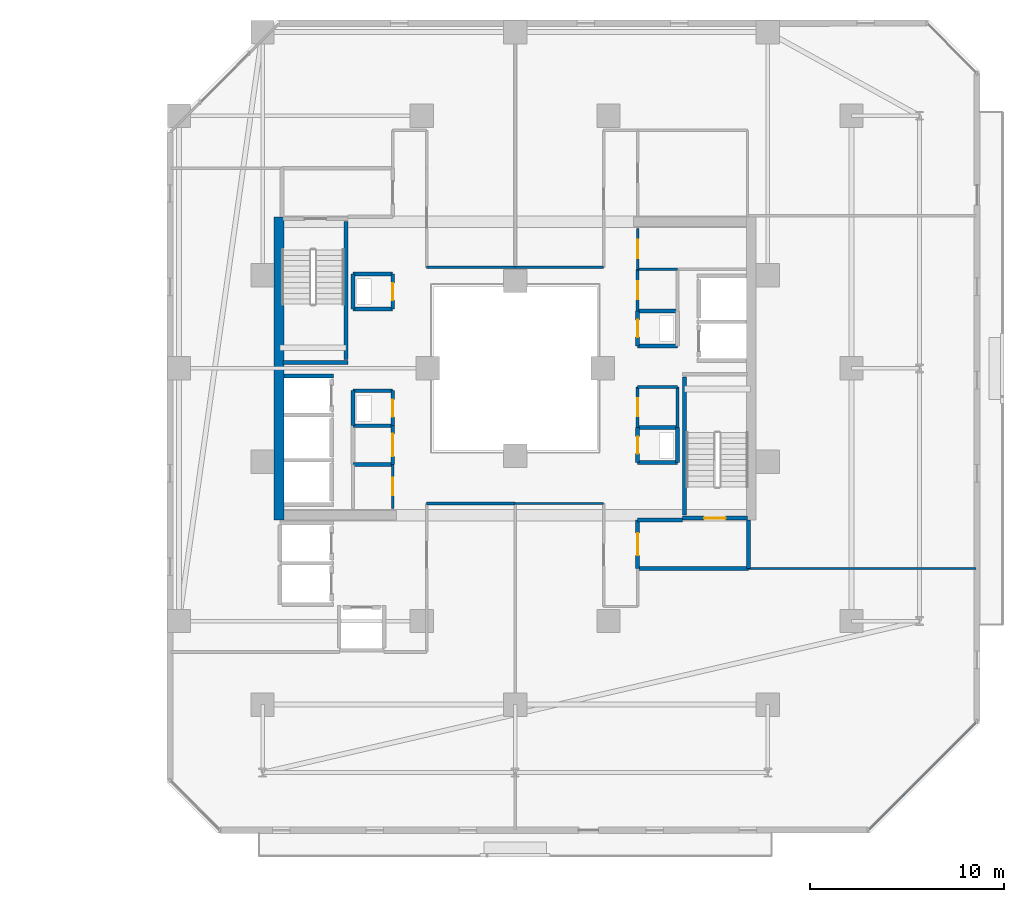
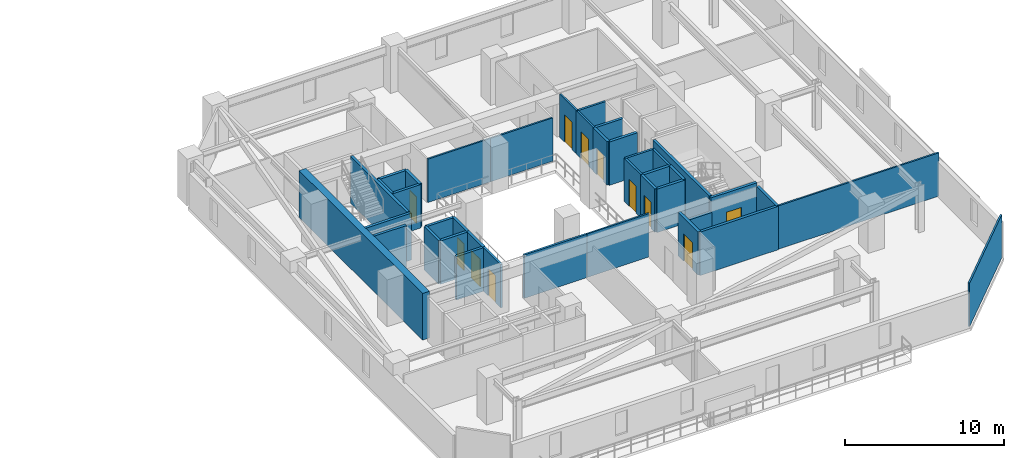
# One storey, part 22 of 31: 40 walls, 11 doors, 11 openings.
"""IFC4 building model written with IfcOpenShell, lengths in metres."""

from ifc_helpers import new_model, si_unit, direction, frame, frame_2d, origin, place, context, subcontext, project, spatial, rectangle, extrude, material, layer, layer_set, type_object, element, fill, save


model = new_model("IFC4")

# Units and contexts
model_context = context("Model", 3, precision=1e-05, world=origin(), true_north=direction((0.0, 1.0)))
body_context = subcontext(model_context, "Body", "Model", "MODEL_VIEW")
ifc_project = project(units=[si_unit("LENGTHUNIT", "METRE"), si_unit("AREAUNIT", "SQUARE_METRE"), si_unit("VOLUMEUNIT", "CUBIC_METRE"), si_unit("PLANEANGLEUNIT", "RADIAN"), si_unit("MASSUNIT", "GRAM", prefix="KILO")], contexts=[model_context])

# Site, building, storey
site_placement = place(None, origin())
site = spatial("IfcSite", under=ifc_project, at=site_placement, CompositionType="ELEMENT")
building_placement = place(site_placement, origin())
building = spatial("IfcBuilding", under=site, at=building_placement, Name="Thornwick Lancets Civic Towers", CompositionType="ELEMENT")
storey_placement = place(building_placement, frame((0.0, 0.0, 126.89990234375)))
storey = spatial("IfcBuildingStorey", under=building, at=storey_placement, Name="L33", CompositionType="ELEMENT", Elevation=126.89990234375)

# Walls
ifc_material_1 = material(Name="Concrete blockwork C40/50", Category="masonry")
ifc_layer_1 = layer(ifc_material_1, 0.199951171875, Name="Concrete blockwork C40/50")
ifc_layer_set_1 = layer_set([ifc_layer_1], Name="Concrete blockwork C40/50")
wall_type_1 = type_object("IfcWallType", Name="WALL_COMP_200", PredefinedType="STANDARD", material=ifc_layer_set_1)
wall_1_placement = place(storey_placement, frame((76.612060546875, 26.60009765625, 0.0), z_axis=(0.0, 0.0, 1.0), x_axis=(1.0, 0.0, 0.0)))
element("IfcWall", 1, at=wall_1_placement, inside=storey, type_object=wall_type_1, Name="L33 Hoistway Shaft Wall FL-B2 N", PredefinedType="STANDARD", context=body_context, shape_type="SweptSolid", body=[
    extrude(rectangle(XDim=2.535888671875, YDim=0.199951171875, at=frame_2d((1.26806640625, 0.0))), origin(), (0.0, 0.0, 1.0), 3.340087890625),
])
wall_2_placement = place(storey_placement, frame((94.800048828125, 16.699951171875, 0.0), z_axis=(0.0, 0.0, 1.0), x_axis=(1.0, 0.0, 0.0)))
element("IfcWall", 2, at=wall_2_placement, inside=storey, type_object=wall_type_1, Name="L33 Partition L33-B-FFLOB1 E1", PredefinedType="STANDARD", context=body_context, shape_type="SweptSolid", body=[
    extrude(rectangle(XDim=5.699951171875, YDim=0.199951171875, at=frame_2d((2.85009765625, 0.0))), origin(), (0.0, 0.0, 1.0), 3.340087890625),
])
wall_3_placement = place(storey_placement, frame((100.5, 16.699951171875, 0.0), z_axis=(0.0, 0.0, 1.0), x_axis=(0.0, 1.0, 0.0)))
element("IfcWall", 3, at=wall_3_placement, inside=storey, type_object=wall_type_1, Name="L33 Partition L33-B-FFLOB1 E2", PredefinedType="STANDARD", context=body_context, shape_type="SweptSolid", body=[
    extrude(rectangle(XDim=2.5, YDim=0.199951171875, at=frame_2d((1.25, 0.0))), origin(), (0.0, 0.0, 1.0), 3.340087890625),
])
wall_4_placement = place(storey_placement, frame((97.10009765625, 19.199951171875, 0.0), z_axis=(0.0, 0.0, 1.0), x_axis=(-1.0, 0.0, 0.0)))
element("IfcWall", 4, at=wall_4_placement, inside=storey, type_object=wall_type_1, Name="L33 Partition L33-B-FFLOB1 E3", PredefinedType="STANDARD", context=body_context, shape_type="SweptSolid", body=[
    extrude(rectangle(XDim=2.300048828125, YDim=0.199951171875, at=frame_2d((1.14990234375, 0.0))), origin(), (0.0, 0.0, 1.0), 2.545166015625),
])

# Wall, opening, door
wall_5_placement = place(storey_placement, frame((94.800048828125, 19.199951171875, 0.0), z_axis=(0.0, 0.0, 1.0), x_axis=(0.0, -1.0, 0.0)))
wall_5 = element("IfcWall", 5, at=wall_5_placement, inside=storey, type_object=wall_type_1, Name="L33 Partition L33-B-FFLOB1 E4", PredefinedType="STANDARD", context=body_context, shape_type="SweptSolid", body=[
    extrude(rectangle(XDim=2.5, YDim=0.199951171875, at=frame_2d((1.25, 0.0))), origin(), (0.0, 0.0, 1.0), 3.340087890625),
])
opening_1_placement = place(wall_5_placement, frame((0.675048828125, 0.0, 0.0)))
opening_1 = element("IfcOpeningElement", 6, at=opening_1_placement, cuts=wall_5, Name="Opening D-L33-1504", PredefinedType="OPENING", context=body_context, shape_type="SweptSolid", body=[
    extrude(rectangle(XDim=1.14990234375, YDim=2.10009765625, at=frame_2d((0.574951171875, 1.050048828125))), frame((0.0, 0.10986328125, 0.0), z_axis=(0.0, -1.0, 0.0), x_axis=(1.0, 0.0, 0.0)), (0.0, 0.0, 1.0), 0.219970703125),
])
ifc_material_2 = material(Name="Glazed fire-resisting steel", Category="steel")
door_type_1 = type_object("IfcDoorType", Name="DOOR_LOBBY_FD60", OperationType="NOTDEFINED", PredefinedType="DOOR", material=ifc_material_2)
door_1_placement = place(opening_1_placement, origin())
door_1 = element("IfcDoor", 7, at=door_1_placement, inside=storey, type_object=door_type_1, Name="L33 East Firefighting Lobby 1 Door", OperationType="SINGLE_SWING_LEFT", OverallHeight=2.10009765625, OverallWidth=1.14990234375, PredefinedType="DOOR", context=body_context, shape_type="SweptSolid", body=[
    extrude(rectangle(XDim=1.14990234375, YDim=2.10009765625, at=frame_2d((0.574951171875, 1.050048828125))), frame((0.0, 0.02490234375, 0.0), z_axis=(0.0, -1.0, 0.0), x_axis=(1.0, 0.0, 0.0)), (0.0, 0.0, 1.0), 0.050048828125),
])
fill(opening_1, door_1)

# Walls
for number, where, z_axis, x_axis, name in (
    (8, (94.800048828125, 28.14990234375, 0.0), (0.0, 0.0, 1.0), (1.0, 0.0, 0.0), "L33 Partition L33-B-DUCT1 E1"),
    (9, (96.85009765625, 29.949951171875, 0.0), (0.0, 0.0, 1.0), (-1.0, 0.0, 0.0), "L33 Partition L33-B-DUCT1 E3"),
):
    element("IfcWall", number, at=place(storey_placement, frame(where, z_axis=z_axis, x_axis=x_axis)), inside=storey, type_object=wall_type_1, Name=name, PredefinedType="STANDARD", context=body_context, shape_type="SweptSolid", body=[
        extrude(rectangle(XDim=2.050048828125, YDim=0.199951171875, at=frame_2d((1.02490234375, 0.0))), origin(), (0.0, 0.0, 1.0), 3.340087890625),
    ])

# Wall, opening, door
wall_6_placement = place(storey_placement, frame((94.800048828125, 29.949951171875, 0.0), z_axis=(0.0, 0.0, 1.0), x_axis=(0.0, -1.0, 0.0)))
wall_6 = element("IfcWall", 10, at=wall_6_placement, inside=storey, type_object=wall_type_1, Name="L33 Partition L33-B-DUCT1 E4", PredefinedType="STANDARD", context=body_context, shape_type="SweptSolid", body=[
    extrude(rectangle(XDim=1.800048828125, YDim=0.199951171875, at=frame_2d((0.89990234375, 0.0))), origin(), (0.0, 0.0, 1.0), 3.340087890625),
])
opening_2_placement = place(wall_6_placement, frame((0.4599609375, 0.0, 0.0)))
opening_2 = element("IfcOpeningElement", 11, at=opening_2_placement, cuts=wall_6, Name="Opening D-L33-1506", PredefinedType="OPENING", context=body_context, shape_type="SweptSolid", body=[
    extrude(rectangle(XDim=0.8798828125, YDim=2.0400390625, at=frame_2d((0.43994140625, 1.02001953125))), frame((0.0, 0.10986328125, 0.0), z_axis=(0.0, -1.0, 0.0), x_axis=(1.0, 0.0, 0.0)), (0.0, 0.0, 1.0), 0.219970703125),
])
ifc_material_3 = material(Name="Steel riser access doorset", Category="steel")
door_type_2 = type_object("IfcDoorType", Name="DOOR_RISER_850", OperationType="NOTDEFINED", PredefinedType="DOOR", material=ifc_material_3)
door_2_placement = place(opening_2_placement, origin())
door_2 = element("IfcDoor", 12, at=door_2_placement, inside=storey, type_object=door_type_2, Name="L33 East Service Duct 1 Door", OperationType="SINGLE_SWING_LEFT", OverallHeight=2.0400390625, OverallWidth=0.8798828125, PredefinedType="DOOR", context=body_context, shape_type="SweptSolid", body=[
    extrude(rectangle(XDim=0.8798828125, YDim=2.0400390625, at=frame_2d((0.43994140625, 1.02001953125))), frame((0.0, 0.02490234375, 0.0), z_axis=(0.0, -1.0, 0.0), x_axis=(1.0, 0.0, 0.0)), (0.0, 0.0, 1.0), 0.050048828125),
])
fill(opening_2, door_2)

# Walls
wall_7_placement = place(storey_placement, frame((94.800048828125, 22.14990234375, 0.0), z_axis=(0.0, 0.0, 1.0), x_axis=(1.0, 0.0, 0.0)))
element("IfcWall", 13, at=wall_7_placement, inside=storey, type_object=wall_type_1, Name="L33 Partition L33-B-RISER1 E1", PredefinedType="STANDARD", context=body_context, shape_type="SweptSolid", body=[
    extrude(rectangle(XDim=2.050048828125, YDim=0.199951171875, at=frame_2d((1.02490234375, 0.0))), origin(), (0.0, 0.0, 1.0), 3.340087890625),
])
wall_8_placement = place(storey_placement, frame((96.85009765625, 22.14990234375, 0.0), z_axis=(0.0, 0.0, 1.0), x_axis=(0.0, 1.0, 0.0)))
element("IfcWall", 14, at=wall_8_placement, inside=storey, type_object=wall_type_1, Name="L33 Partition L33-B-RISER1 E2", PredefinedType="STANDARD", context=body_context, shape_type="SweptSolid", body=[
    extrude(rectangle(XDim=1.800048828125, YDim=0.199951171875, at=frame_2d((0.89990234375, 0.0))), origin(), (0.0, 0.0, 1.0), 3.340087890625),
])
wall_9_placement = place(storey_placement, frame((96.85009765625, 23.949951171875, 0.0), z_axis=(0.0, 0.0, 1.0), x_axis=(-1.0, 0.0, 0.0)))
element("IfcWall", 15, at=wall_9_placement, inside=storey, type_object=wall_type_1, Name="L33 Partition L33-B-RISER1 E3", PredefinedType="STANDARD", context=body_context, shape_type="SweptSolid", body=[
    extrude(rectangle(XDim=2.050048828125, YDim=0.199951171875, at=frame_2d((1.02490234375, 0.0))), origin(), (0.0, 0.0, 1.0), 3.340087890625),
])

# Wall, opening, door
wall_10_placement = place(storey_placement, frame((94.800048828125, 23.949951171875, 0.0), z_axis=(0.0, 0.0, 1.0), x_axis=(0.0, -1.0, 0.0)))
wall_10 = element("IfcWall", 16, at=wall_10_placement, inside=storey, type_object=wall_type_1, Name="L33 Partition L33-B-RISER1 E4", PredefinedType="STANDARD", context=body_context, shape_type="SweptSolid", body=[
    extrude(rectangle(XDim=1.800048828125, YDim=0.199951171875, at=frame_2d((0.89990234375, 0.0))), origin(), (0.0, 0.0, 1.0), 3.340087890625),
])
opening_3_placement = place(wall_10_placement, frame((0.4599609375, 0.0, 0.0)))
opening_3 = element("IfcOpeningElement", 17, at=opening_3_placement, cuts=wall_10, Name="Opening D-L33-1507", PredefinedType="OPENING", context=body_context, shape_type="SweptSolid", body=[
    extrude(rectangle(XDim=0.8798828125, YDim=2.0400390625, at=frame_2d((0.43994140625, 1.02001953125))), frame((0.0, 0.10986328125, 0.0), z_axis=(0.0, -1.0, 0.0), x_axis=(1.0, 0.0, 0.0)), (0.0, 0.0, 1.0), 0.219970703125),
])
door_3_placement = place(opening_3_placement, origin())
door_3 = element("IfcDoor", 18, at=door_3_placement, inside=storey, type_object=door_type_2, Name="L33 East Electrical Riser 1 Door", OperationType="SINGLE_SWING_RIGHT", OverallHeight=2.0400390625, OverallWidth=0.8798828125, PredefinedType="DOOR", context=body_context, shape_type="SweptSolid", body=[
    extrude(rectangle(XDim=0.8798828125, YDim=2.0400390625, at=frame_2d((0.43994140625, 1.02001953125))), frame((0.0, 0.02490234375, 0.0), z_axis=(0.0, -1.0, 0.0), x_axis=(1.0, 0.0, 0.0)), (0.0, 0.0, 1.0), 0.050048828125),
])
fill(opening_3, door_3)

# Wall
wall_11_placement = place(storey_placement, frame((80.14990234375, 24.050048828125, 0.0), z_axis=(0.0, 0.0, 1.0), x_axis=(1.0, 0.0, 0.0)))
element("IfcWall", 19, at=wall_11_placement, inside=storey, type_object=wall_type_1, Name="L33 Partition L33-B-DUCT2 E1", PredefinedType="STANDARD", context=body_context, shape_type="SweptSolid", body=[
    extrude(rectangle(XDim=2.050048828125, YDim=0.199951171875, at=frame_2d((1.02490234375, 0.0))), origin(), (0.0, 0.0, 1.0), 3.340087890625),
])

# Wall, opening, door
wall_12_placement = place(storey_placement, frame((82.199951171875, 24.050048828125, 0.0), z_axis=(0.0, 0.0, 1.0), x_axis=(0.0, 1.0, 0.0)))
wall_12 = element("IfcWall", 20, at=wall_12_placement, inside=storey, type_object=wall_type_1, Name="L33 Partition L33-B-DUCT2 E2", PredefinedType="STANDARD", context=body_context, shape_type="SweptSolid", body=[
    extrude(rectangle(XDim=1.800048828125, YDim=0.199951171875, at=frame_2d((0.89990234375, 0.0))), origin(), (0.0, 0.0, 1.0), 3.340087890625),
])
opening_4_placement = place(wall_12_placement, frame((0.4599609375, 0.0, 0.0)))
opening_4 = element("IfcOpeningElement", 21, at=opening_4_placement, cuts=wall_12, Name="Opening D-L33-1508", PredefinedType="OPENING", context=body_context, shape_type="SweptSolid", body=[
    extrude(rectangle(XDim=0.8798828125, YDim=2.0400390625, at=frame_2d((0.43994140625, 1.02001953125))), frame((0.0, 0.10986328125, 0.0), z_axis=(0.0, -1.0, 0.0), x_axis=(1.0, 0.0, 0.0)), (0.0, 0.0, 1.0), 0.219970703125),
])
door_4_placement = place(opening_4_placement, origin())
door_4 = element("IfcDoor", 22, at=door_4_placement, inside=storey, type_object=door_type_2, Name="L33 West Service Duct 2 Door", OperationType="SINGLE_SWING_LEFT", OverallHeight=2.0400390625, OverallWidth=0.8798828125, PredefinedType="DOOR", context=body_context, shape_type="SweptSolid", body=[
    extrude(rectangle(XDim=0.8798828125, YDim=2.0400390625, at=frame_2d((0.43994140625, 1.02001953125))), frame((0.0, 0.02490234375, 0.0), z_axis=(0.0, -1.0, 0.0), x_axis=(1.0, 0.0, 0.0)), (0.0, 0.0, 1.0), 0.050048828125),
])
fill(opening_4, door_4)

# Walls
wall_13_placement = place(storey_placement, frame((82.199951171875, 25.85009765625, 0.0), z_axis=(0.0, 0.0, 1.0), x_axis=(-1.0, 0.0, 0.0)))
element("IfcWall", 23, at=wall_13_placement, inside=storey, type_object=wall_type_1, Name="L33 Partition L33-B-DUCT2 E3", PredefinedType="STANDARD", context=body_context, shape_type="SweptSolid", body=[
    extrude(rectangle(XDim=2.050048828125, YDim=0.199951171875, at=frame_2d((1.02490234375, 0.0))), origin(), (0.0, 0.0, 1.0), 3.340087890625),
])
wall_14_placement = place(storey_placement, frame((80.14990234375, 25.85009765625, 0.0), z_axis=(0.0, 0.0, 1.0), x_axis=(0.0, -1.0, 0.0)))
element("IfcWall", 24, at=wall_14_placement, inside=storey, type_object=wall_type_1, Name="L33 Partition L33-B-DUCT2 E4", PredefinedType="STANDARD", context=body_context, shape_type="SweptSolid", body=[
    extrude(rectangle(XDim=1.800048828125, YDim=0.199951171875, at=frame_2d((0.89990234375, 0.0))), origin(), (0.0, 0.0, 1.0), 3.340087890625),
])
wall_15_placement = place(storey_placement, frame((80.14990234375, 30.050048828125, 0.0), z_axis=(0.0, 0.0, 1.0), x_axis=(1.0, 0.0, 0.0)))
element("IfcWall", 25, at=wall_15_placement, inside=storey, type_object=wall_type_1, Name="L33 Partition L33-B-RISER2 E1", PredefinedType="STANDARD", context=body_context, shape_type="SweptSolid", body=[
    extrude(rectangle(XDim=2.050048828125, YDim=0.199951171875, at=frame_2d((1.02490234375, 0.0))), origin(), (0.0, 0.0, 1.0), 3.340087890625),
])

# Wall, opening, door
wall_16_placement = place(storey_placement, frame((82.199951171875, 30.050048828125, 0.0), z_axis=(0.0, 0.0, 1.0), x_axis=(0.0, 1.0, 0.0)))
wall_16 = element("IfcWall", 26, at=wall_16_placement, inside=storey, type_object=wall_type_1, Name="L33 Partition L33-B-RISER2 E2", PredefinedType="STANDARD", context=body_context, shape_type="SweptSolid", body=[
    extrude(rectangle(XDim=1.800048828125, YDim=0.199951171875, at=frame_2d((0.89990234375, 0.0))), origin(), (0.0, 0.0, 1.0), 3.340087890625),
])
opening_5_placement = place(wall_16_placement, frame((0.4599609375, 0.0, 0.0)))
opening_5 = element("IfcOpeningElement", 27, at=opening_5_placement, cuts=wall_16, Name="Opening D-L33-1509", PredefinedType="OPENING", context=body_context, shape_type="SweptSolid", body=[
    extrude(rectangle(XDim=0.8798828125, YDim=2.0400390625, at=frame_2d((0.43994140625, 1.02001953125))), frame((0.0, 0.10986328125, 0.0), z_axis=(0.0, -1.0, 0.0), x_axis=(1.0, 0.0, 0.0)), (0.0, 0.0, 1.0), 0.219970703125),
])
door_5_placement = place(opening_5_placement, origin())
door_5 = element("IfcDoor", 28, at=door_5_placement, inside=storey, type_object=door_type_2, Name="L33 West Service Riser 2 Door", OperationType="SINGLE_SWING_RIGHT", OverallHeight=2.0400390625, OverallWidth=0.8798828125, PredefinedType="DOOR", context=body_context, shape_type="SweptSolid", body=[
    extrude(rectangle(XDim=0.8798828125, YDim=2.0400390625, at=frame_2d((0.43994140625, 1.02001953125))), frame((0.0, 0.02490234375, 0.0), z_axis=(0.0, -1.0, 0.0), x_axis=(1.0, 0.0, 0.0)), (0.0, 0.0, 1.0), 0.050048828125),
])
fill(opening_5, door_5)

# Walls
wall_17_placement = place(storey_placement, frame((82.199951171875, 31.85009765625, 0.0), z_axis=(0.0, 0.0, 1.0), x_axis=(-1.0, 0.0, 0.0)))
element("IfcWall", 29, at=wall_17_placement, inside=storey, type_object=wall_type_1, Name="L33 Partition L33-B-RISER2 E3", PredefinedType="STANDARD", context=body_context, shape_type="SweptSolid", body=[
    extrude(rectangle(XDim=2.050048828125, YDim=0.199951171875, at=frame_2d((1.02490234375, 0.0))), origin(), (0.0, 0.0, 1.0), 3.340087890625),
])
wall_18_placement = place(storey_placement, frame((80.14990234375, 31.85009765625, 0.0), z_axis=(0.0, 0.0, 1.0), x_axis=(0.0, -1.0, 0.0)))
element("IfcWall", 30, at=wall_18_placement, inside=storey, type_object=wall_type_1, Name="L33 Partition L33-B-RISER2 E4", PredefinedType="STANDARD", context=body_context, shape_type="SweptSolid", body=[
    extrude(rectangle(XDim=1.800048828125, YDim=0.199951171875, at=frame_2d((0.89990234375, 0.0))), origin(), (0.0, 0.0, 1.0), 3.340087890625),
])

# Wall, opening, door
wall_19_placement = place(storey_placement, frame((82.199951171875, 24.050048828125, 0.0), z_axis=(0.0, 0.0, 1.0), x_axis=(0.0, -1.0, 0.0)))
wall_19 = element("IfcWall", 31, at=wall_19_placement, inside=storey, type_object=wall_type_1, Name="L33 Partition L33-B-STR E3", PredefinedType="STANDARD", context=body_context, shape_type="SweptSolid", body=[
    extrude(rectangle(XDim=2.0, YDim=0.199951171875, at=frame_2d((1.0, 0.0))), origin(), (0.0, 0.0, 1.0), 3.340087890625),
])
opening_6_placement = place(wall_19_placement, frame((0.425048828125, 0.0, 0.0)))
opening_6 = element("IfcOpeningElement", 32, at=opening_6_placement, cuts=wall_19, Name="Opening D-L33-1514", PredefinedType="OPENING", context=body_context, shape_type="SweptSolid", body=[
    extrude(rectangle(XDim=1.14990234375, YDim=2.10009765625, at=frame_2d((0.574951171875, 1.050048828125))), frame((0.0, 0.10986328125, 0.0), z_axis=(0.0, -1.0, 0.0), x_axis=(1.0, 0.0, 0.0)), (0.0, 0.0, 1.0), 0.219970703125),
])
door_6_placement = place(opening_6_placement, origin())
door_6 = element("IfcDoor", 33, at=door_6_placement, inside=storey, type_object=door_type_1, Name="L33 Tower B Core Records Store Door", OperationType="SINGLE_SWING_LEFT", OverallHeight=2.10009765625, OverallWidth=1.14990234375, PredefinedType="DOOR", context=body_context, shape_type="SweptSolid", body=[
    extrude(rectangle(XDim=1.14990234375, YDim=2.10009765625, at=frame_2d((0.574951171875, 1.050048828125))), frame((0.0, 0.02490234375, 0.0), z_axis=(0.0, -1.0, 0.0), x_axis=(1.0, 0.0, 0.0)), (0.0, 0.0, 1.0), 0.050048828125),
])
fill(opening_6, door_6)

# Walls
wall_20_placement = place(storey_placement, frame((82.199951171875, 22.050048828125, 0.0), z_axis=(0.0, 0.0, 1.0), x_axis=(-1.0, 0.0, 0.0)))
element("IfcWall", 34, at=wall_20_placement, inside=storey, type_object=wall_type_1, Name="L33 Partition L33-B-STR E4", PredefinedType="STANDARD", context=body_context, shape_type="SweptSolid", body=[
    extrude(rectangle(XDim=2.050048828125, YDim=0.199951171875, at=frame_2d((1.02490234375, 0.0))), origin(), (0.0, 0.0, 1.0), 3.340087890625),
])
ifc_material_4 = material(Name="Concrete C50/60", Category="concrete")
ifc_layer_2 = layer(ifc_material_4, 0.5, Name="Concrete C50/60")
ifc_layer_set_2 = layer_set([ifc_layer_2], Name="Concrete C50/60")
wall_type_2 = type_object("IfcWallType", Name="WALL_CORE_500", PredefinedType="SHEAR", material=ifc_layer_set_2)
wall_21_placement = place(storey_placement, frame((76.35009765625, 19.199951171875, 0.0), z_axis=(0.0, 0.0, 1.0), x_axis=(0.0, 1.0, 0.0)))
element("IfcWall", 35, at=wall_21_placement, inside=storey, type_object=wall_type_2, Name="L33 Split Core B2 Shear Wall W", PredefinedType="SHEAR", context=body_context, shape_type="SweptSolid", body=[
    extrude(rectangle(XDim=15.60009765625, YDim=0.5, at=frame_2d((7.800048828125, 0.0))), origin(), (0.0, 0.0, 1.0), 3.60009765625),
])

# Wall, opening, door
ifc_material_5 = material(Name="Acoustic gypsum board partition")
ifc_layer_3 = layer(ifc_material_5, 0.1201171875, Name="Acoustic gypsum board partition")
ifc_layer_set_3 = layer_set([ifc_layer_3], Name="Acoustic gypsum board partition")
wall_type_3 = type_object("IfcWallType", Name="WALL_PART_120", PredefinedType="PARTITIONING", material=ifc_layer_set_3)
wall_22_placement = place(storey_placement, frame((94.800048828125, 32.10009765625, 0.0), z_axis=(0.0, 0.0, 1.0), x_axis=(0.0, 1.0, 0.0)))
wall_22 = element("IfcWall", 36, at=wall_22_placement, inside=storey, type_object=wall_type_3, Name="L33 Partition L33-B-ITR E1", PredefinedType="PARTITIONING", context=body_context, shape_type="SweptSolid", body=[
    extrude(rectangle(XDim=2.099853515625, YDim=0.1201171875, at=frame_2d((1.0498046875, 0.0))), origin(), (0.0, 0.0, 1.0), 3.340087890625),
])
opening_7_placement = place(wall_22_placement, frame((0.574951171875, 0.0, 0.0)))
opening_7 = element("IfcOpeningElement", 37, at=opening_7_placement, cuts=wall_22, Name="Opening D-L33-1512", PredefinedType="OPENING", context=body_context, shape_type="SweptSolid", body=[
    extrude(rectangle(XDim=0.949951171875, YDim=2.10009765625, at=frame_2d((0.47509765625, 1.050048828125))), frame((0.0, 0.070068359375, 0.0), z_axis=(0.0, -1.0, 0.0), x_axis=(1.0, 0.0, 0.0)), (0.0, 0.0, 1.0), 0.14013671875),
])
ifc_material_6 = material(Name="European oak acoustic doorset")
door_type_3 = type_object("IfcDoorType", Name="DOOR_OFFICE_950", OperationType="NOTDEFINED", PredefinedType="DOOR", material=ifc_material_6)
door_7_placement = place(opening_7_placement, origin())
door_7 = element("IfcDoor", 38, at=door_7_placement, inside=storey, type_object=door_type_3, Name="L33 Tower B Comms Patch Room Door", OperationType="SINGLE_SWING_LEFT", OverallHeight=2.10009765625, OverallWidth=0.949951171875, PredefinedType="DOOR", context=body_context, shape_type="SweptSolid", body=[
    extrude(rectangle(XDim=0.949951171875, YDim=2.10009765625, at=frame_2d((0.47509765625, 1.050048828125))), frame((0.0, 0.02490234375, 0.0), z_axis=(0.0, -1.0, 0.0), x_axis=(1.0, 0.0, 0.0)), (0.0, 0.0, 1.0), 0.050048828125),
])
fill(opening_7, door_7)

# Walls
wall_23_placement = place(storey_placement, frame((88.5, 20.050048828125, 0.0), z_axis=(0.0, 0.0, 1.0), x_axis=(1.0, 0.0, 0.0)))
element("IfcWall", 39, at=wall_23_placement, inside=storey, type_object=wall_type_3, Name="L33 Partition L33-B-W1 E3", PredefinedType="PARTITIONING", context=body_context, shape_type="SweptSolid", body=[
    extrude(rectangle(XDim=4.550048828125, YDim=0.1201171875, at=frame_2d((2.27490234375, 0.0))), origin(), (0.0, 0.0, 1.0), 3.340087890625),
])
wall_24_placement = place(storey_placement, frame((100.5, 16.699951171875, 0.0), z_axis=(0.0, 0.0, 1.0), x_axis=(1.0, 0.0, 0.0)))
element("IfcWall", 40, at=wall_24_placement, inside=storey, type_object=wall_type_3, Name="L33 Partition L33-B-W1 E8", PredefinedType="PARTITIONING", context=body_context, shape_type="SweptSolid", body=[
    extrude(rectangle(XDim=11.719970703125, YDim=0.1201171875, at=frame_2d((5.85986328125, 0.0))), origin(), (0.0, 0.0, 1.0), 3.340087890625),
])
wall_25_placement = place(storey_placement, frame((112.219970703125, 8.820556640625, 0.0), z_axis=(0.0, 0.0, 1.0), x_axis=(-0.707106781187, -0.707106781187, 0.0)))
element("IfcWall", 41, at=wall_25_placement, inside=storey, type_object=wall_type_3, Name="L33 Partition L33-B-W1 E10", PredefinedType="PARTITIONING", context=body_context, shape_type="SweptSolid", body=[
    extrude(rectangle(XDim=7.83544921875, YDim=0.1201171875, at=frame_2d((3.917724609375, 0.0))), origin(), (0.0, 0.0, 1.0), 3.340087890625),
])
for number, where, z_axis, x_axis, name in (
    (42, (93.050048828125, 32.199951171875, 0.0), (0.0, 0.0, 1.0), (-1.0, 0.0, 0.0), "L33 Partition L33-B-E1 E5"),
    (43, (88.5, 32.199951171875, 0.0), (0.0, 0.0, 1.0), (-1.0, 0.0, 0.0), "L33 Partition L33-B-E3 E11"),
):
    element("IfcWall", number, at=place(storey_placement, frame(where, z_axis=z_axis, x_axis=x_axis)), inside=storey, type_object=wall_type_3, Name=name, PredefinedType="PARTITIONING", context=body_context, shape_type="SweptSolid", body=[
        extrude(rectangle(XDim=4.550048828125, YDim=0.1201171875, at=frame_2d((2.27490234375, 0.0))), origin(), (0.0, 0.0, 1.0), 3.340087890625),
    ])

# Wall, opening, door
ifc_material_7 = material(Name="Twin-stud acoustic gypsum board")
ifc_layer_4 = layer(ifc_material_7, 0.14990234375, Name="Twin-stud acoustic gypsum board")
ifc_layer_set_4 = layer_set([ifc_layer_4], Name="Twin-stud acoustic gypsum board")
wall_type_4 = type_object("IfcWallType", Name="WALL_PART_150", PredefinedType="PARTITIONING", material=ifc_layer_set_4)
wall_26_placement = place(storey_placement, frame((94.800048828125, 23.949951171875, 0.0), z_axis=(0.0, 0.0, 1.0), x_axis=(0.0, 1.0, 0.0)))
wall_26 = element("IfcWall", 44, at=wall_26_placement, inside=storey, type_object=wall_type_4, Name="L33 Partition L33-B-MWC E1", PredefinedType="PARTITIONING", context=body_context, shape_type="SweptSolid", body=[
    extrude(rectangle(XDim=2.10009765625, YDim=0.14990234375, at=frame_2d((1.050048828125, 0.0))), origin(), (0.0, 0.0, 1.0), 3.340087890625),
])
opening_8_placement = place(wall_26_placement, frame((0.590087890625, 0.0, 0.0)))
opening_8 = element("IfcOpeningElement", 45, at=opening_8_placement, cuts=wall_26, Name="Opening D-L33-1510", PredefinedType="OPENING", context=body_context, shape_type="SweptSolid", body=[
    extrude(rectangle(XDim=0.919921875, YDim=2.080078125, at=frame_2d((0.4599609375, 1.0400390625))), frame((0.0, 0.0849609375, 0.0), z_axis=(0.0, -1.0, 0.0), x_axis=(1.0, 0.0, 0.0)), (0.0, 0.0, 1.0), 0.169921875),
])
ifc_material_8 = material(Name="Moisture-resistant oak doorset")
door_type_4 = type_object("IfcDoorType", Name="DOOR_WC_900", OperationType="NOTDEFINED", PredefinedType="DOOR", material=ifc_material_8)
door_8_placement = place(opening_8_placement, origin())
door_8 = element("IfcDoor", 46, at=door_8_placement, inside=storey, type_object=door_type_4, Name="L33 Tower B Male WC Door", OperationType="SINGLE_SWING_LEFT", OverallHeight=2.080078125, OverallWidth=0.919921875, PredefinedType="DOOR", context=body_context, shape_type="SweptSolid", body=[
    extrude(rectangle(XDim=0.919921875, YDim=2.080078125, at=frame_2d((0.4599609375, 1.0400390625))), frame((0.0, 0.02490234375, 0.0), z_axis=(0.0, -1.0, 0.0), x_axis=(1.0, 0.0, 0.0)), (0.0, 0.0, 1.0), 0.050048828125),
])
fill(opening_8, door_8)

# Walls
wall_27_placement = place(storey_placement, frame((94.800048828125, 26.050048828125, 0.0), z_axis=(0.0, 0.0, 1.0), x_axis=(1.0, 0.0, 0.0)))
element("IfcWall", 47, at=wall_27_placement, inside=storey, type_object=wall_type_4, Name="L33 Partition L33-B-MWC E2", PredefinedType="PARTITIONING", context=body_context, shape_type="SweptSolid", body=[
    extrude(rectangle(XDim=2.050048828125, YDim=0.14990234375, at=frame_2d((1.02490234375, 0.0))), origin(), (0.0, 0.0, 1.0), 3.340087890625),
])
wall_28_placement = place(storey_placement, frame((96.85009765625, 26.050048828125, 0.0), z_axis=(0.0, 0.0, 1.0), x_axis=(0.0, -1.0, 0.0)))
element("IfcWall", 48, at=wall_28_placement, inside=storey, type_object=wall_type_4, Name="L33 Partition L33-B-MWC E3", PredefinedType="PARTITIONING", context=body_context, shape_type="SweptSolid", body=[
    extrude(rectangle(XDim=2.10009765625, YDim=0.14990234375, at=frame_2d((1.050048828125, 0.0))), origin(), (0.0, 0.0, 1.0), 3.340087890625),
])

# Wall, opening, door
wall_29_placement = place(storey_placement, frame((94.800048828125, 29.949951171875, 0.0), z_axis=(0.0, 0.0, 1.0), x_axis=(0.0, 1.0, 0.0)))
wall_29 = element("IfcWall", 49, at=wall_29_placement, inside=storey, type_object=wall_type_4, Name="L33 Partition L33-B-FWC E1", PredefinedType="PARTITIONING", context=body_context, shape_type="SweptSolid", body=[
    extrude(rectangle(XDim=2.150146484375, YDim=0.14990234375, at=frame_2d((1.0751953125, 0.0))), origin(), (0.0, 0.0, 1.0), 3.340087890625),
])
opening_9_placement = place(wall_29_placement, frame((0.614990234375, 0.0, 0.0)))
opening_9 = element("IfcOpeningElement", 50, at=opening_9_placement, cuts=wall_29, Name="Opening D-L33-1511", PredefinedType="OPENING", context=body_context, shape_type="SweptSolid", body=[
    extrude(rectangle(XDim=0.919921875, YDim=2.080078125, at=frame_2d((0.4599609375, 1.0400390625))), frame((0.0, 0.0849609375, 0.0), z_axis=(0.0, -1.0, 0.0), x_axis=(1.0, 0.0, 0.0)), (0.0, 0.0, 1.0), 0.169921875),
])
door_9_placement = place(opening_9_placement, origin())
door_9 = element("IfcDoor", 51, at=door_9_placement, inside=storey, type_object=door_type_4, Name="L33 Tower B Female WC Door", OperationType="SINGLE_SWING_RIGHT", OverallHeight=2.080078125, OverallWidth=0.919921875, PredefinedType="DOOR", context=body_context, shape_type="SweptSolid", body=[
    extrude(rectangle(XDim=0.919921875, YDim=2.080078125, at=frame_2d((0.4599609375, 1.0400390625))), frame((0.0, 0.02490234375, 0.0), z_axis=(0.0, -1.0, 0.0), x_axis=(1.0, 0.0, 0.0)), (0.0, 0.0, 1.0), 0.050048828125),
])
fill(opening_9, door_9)

# Wall
wall_30_placement = place(storey_placement, frame((94.800048828125, 32.10009765625, 0.0), z_axis=(0.0, 0.0, 1.0), x_axis=(1.0, 0.0, 0.0)))
element("IfcWall", 52, at=wall_30_placement, inside=storey, type_object=wall_type_4, Name="L33 Partition L33-B-FWC E2", PredefinedType="PARTITIONING", context=body_context, shape_type="SweptSolid", body=[
    extrude(rectangle(XDim=2.050048828125, YDim=0.14990234375, at=frame_2d((1.02490234375, 0.0))), origin(), (0.0, 0.0, 1.0), 3.340087890625),
])

# Wall, opening, door
wall_31_placement = place(storey_placement, frame((82.199951171875, 19.800048828125, 0.0), z_axis=(0.0, 0.0, 1.0), x_axis=(0.0, 1.0, 0.0)))
wall_31 = element("IfcWall", 53, at=wall_31_placement, inside=storey, type_object=wall_type_4, Name="L33 Partition L33-B-AWC E2", PredefinedType="PARTITIONING", context=body_context, shape_type="SweptSolid", body=[
    extrude(rectangle(XDim=2.25, YDim=0.14990234375, at=frame_2d((1.125, 0.0))), origin(), (0.0, 0.0, 1.0), 3.340087890625),
])
opening_10_placement = place(wall_31_placement, frame((0.6650390625, 0.0, 0.0)))
opening_10 = element("IfcOpeningElement", 54, at=opening_10_placement, cuts=wall_31, Name="Opening D-L33-1513", PredefinedType="OPENING", context=body_context, shape_type="SweptSolid", body=[
    extrude(rectangle(XDim=0.919921875, YDim=2.080078125, at=frame_2d((0.4599609375, 1.0400390625))), frame((0.0, 0.0849609375, 0.0), z_axis=(0.0, -1.0, 0.0), x_axis=(1.0, 0.0, 0.0)), (0.0, 0.0, 1.0), 0.169921875),
])
door_10_placement = place(opening_10_placement, origin())
door_10 = element("IfcDoor", 55, at=door_10_placement, inside=storey, type_object=door_type_4, Name="L33 Tower B Accessible WC Door", OperationType="SINGLE_SWING_RIGHT", OverallHeight=2.080078125, OverallWidth=0.919921875, PredefinedType="DOOR", context=body_context, shape_type="SweptSolid", body=[
    extrude(rectangle(XDim=0.919921875, YDim=2.080078125, at=frame_2d((0.4599609375, 1.0400390625))), frame((0.0, 0.02490234375, 0.0), z_axis=(0.0, -1.0, 0.0), x_axis=(1.0, 0.0, 0.0)), (0.0, 0.0, 1.0), 0.050048828125),
])
fill(opening_10, door_10)

# Wall
wall_32_placement = place(storey_placement, frame((83.949951171875, 20.050048828125, 0.0), z_axis=(0.0, 0.0, 1.0), x_axis=(1.0, 0.0, 0.0)))
element("IfcWall", 56, at=wall_32_placement, inside=storey, type_object=wall_type_4, Name="L33 Partition L33-B-W2 E2", PredefinedType="PARTITIONING", context=body_context, shape_type="SweptSolid", body=[
    extrude(rectangle(XDim=4.550048828125, YDim=0.14990234375, at=frame_2d((2.27490234375, 0.0))), origin(), (0.0, 0.0, 1.0), 3.340087890625),
])

# Wall, opening, door
ifc_material_9 = material(Name="Concrete C40/50", Category="concrete")
ifc_layer_5 = layer(ifc_material_9, 0.199951171875, Name="Concrete C40/50")
ifc_layer_set_5 = layer_set([ifc_layer_5], Name="Concrete C40/50")
wall_type_5 = type_object("IfcWallType", Name="WALL_SHAFT_200", PredefinedType="SHEAR", material=ifc_layer_set_5)
wall_33_placement = place(storey_placement, frame((100.449951171875, 19.300048828125, 0.0), z_axis=(0.0, 0.0, 1.0), x_axis=(-1.0, 0.0, 0.0)))
wall_33 = element("IfcWall", 57, at=wall_33_placement, inside=storey, type_object=wall_type_5, Name="L33 ST-B1 Fire Stair Core Wall NEAR", PredefinedType="SHEAR", context=body_context, shape_type="SweptSolid", body=[
    extrude(rectangle(XDim=3.349853515625, YDim=0.199951171875, at=frame_2d((1.6748046875, 0.0))), origin(), (0.0, 0.0, 1.0), 3.60009765625),
])
opening_11_placement = place(wall_33_placement, frame((1.125, 0.0, 0.0)))
opening_11 = element("IfcOpeningElement", 58, at=opening_11_placement, cuts=wall_33, Name="Opening D-ST-B1-L33", PredefinedType="OPENING", context=body_context, shape_type="SweptSolid", body=[
    extrude(rectangle(XDim=1.10009765625, YDim=2.10009765625, at=frame_2d((0.550048828125, 1.050048828125))), frame((0.0, 0.10986328125, 0.0), z_axis=(0.0, -1.0, 0.0), x_axis=(1.0, 0.0, 0.0)), (0.0, 0.0, 1.0), 0.219970703125),
])
ifc_material_10 = material(Name="Fire-resisting steel and hardwood", Category="steel")
door_type_5 = type_object("IfcDoorType", Name="DOOR_STAIR_FD60", OperationType="NOTDEFINED", PredefinedType="DOOR", material=ifc_material_10)
door_11_placement = place(opening_11_placement, origin())
door_11 = element("IfcDoor", 59, at=door_11_placement, inside=storey, type_object=door_type_5, Name="L33 ST-B1 Exit Stair Door", OperationType="SINGLE_SWING_RIGHT", OverallHeight=2.10009765625, OverallWidth=1.10009765625, PredefinedType="DOOR", context=body_context, shape_type="SweptSolid", body=[
    extrude(rectangle(XDim=1.10009765625, YDim=2.10009765625, at=frame_2d((0.550048828125, 1.050048828125))), frame((0.0, 0.02490234375, 0.0), z_axis=(0.0, -1.0, 0.0), x_axis=(1.0, 0.0, 0.0)), (0.0, 0.0, 1.0), 0.050048828125),
])
fill(opening_11, door_11)

# Walls
wall_34_placement = place(storey_placement, frame((97.202880859375, 26.550048828125, 0.0), z_axis=(0.0, 0.0, 1.0), x_axis=(0.0, -1.0, 0.0)))
element("IfcWall", 60, at=wall_34_placement, inside=storey, type_object=wall_type_5, Name="L33 ST-B1 Fire Stair Core Wall RIGHT", PredefinedType="SHEAR", context=body_context, shape_type="SweptSolid", body=[
    extrude(rectangle(XDim=7.10009765625, YDim=0.199951171875, at=frame_2d((3.550048828125, 0.0))), origin(), (0.0, 0.0, 1.0), 3.60009765625),
])
wall_35_placement = place(storey_placement, frame((79.89990234375, 27.300048828125, 0.0), z_axis=(0.0, 0.0, 1.0), x_axis=(-1.0, 0.0, 0.0)))
element("IfcWall", 61, at=wall_35_placement, inside=storey, type_object=wall_type_5, Name="L33 ST-B2 Fire Stair Core Wall FAR", PredefinedType="SHEAR", context=body_context, shape_type="SweptSolid", body=[
    extrude(rectangle(XDim=3.349853515625, YDim=0.199951171875, at=frame_2d((1.6748046875, 0.0))), origin(), (0.0, 0.0, 1.0), 3.60009765625),
])
wall_36_placement = place(storey_placement, frame((79.797119140625, 27.449951171875, 0.0), z_axis=(0.0, 0.0, 1.0), x_axis=(0.0, 1.0, 0.0)))
element("IfcWall", 62, at=wall_36_placement, inside=storey, type_object=wall_type_5, Name="L33 ST-B2 Fire Stair Core Wall RIGHT", PredefinedType="SHEAR", context=body_context, shape_type="SweptSolid", body=[
    extrude(rectangle(XDim=7.10009765625, YDim=0.199951171875, at=frame_2d((3.550048828125, 0.0))), origin(), (0.0, 0.0, 1.0), 3.60009765625),
])

save(model, "model.ifc")
